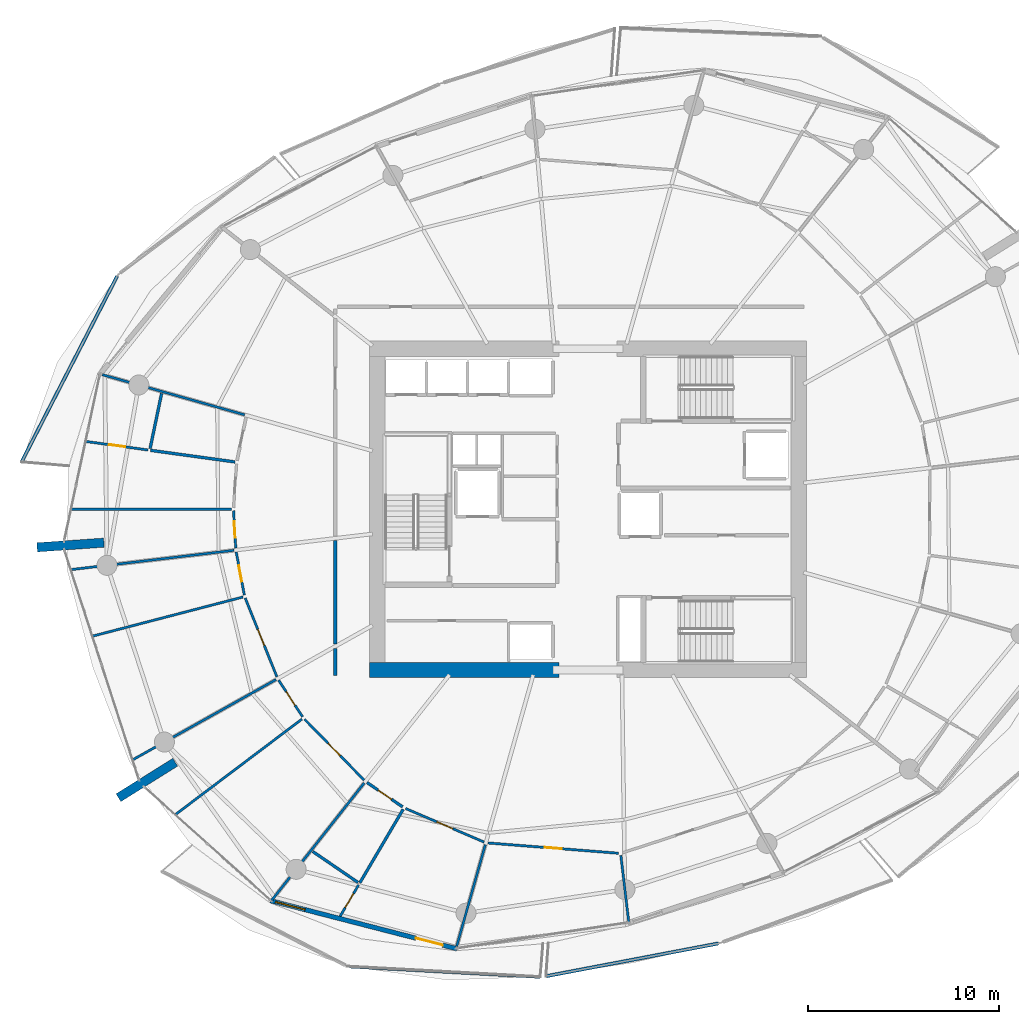
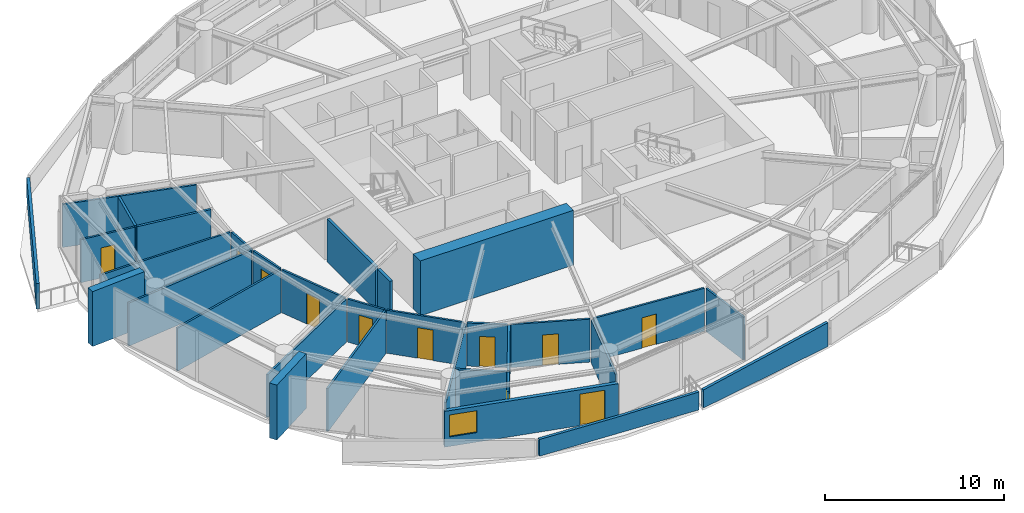
# One storey, part 11 of 20: 32 walls, 11 doors, 1 window, 12 openings.
"""IFC4 building model written with IfcOpenShell, lengths in metres."""

from ifc_helpers import new_model, si_unit, direction, frame, frame_2d, origin, place, context, subcontext, project, spatial, polyline, rectangle, outline, extrude, material, layer, layer_set, type_object, element, fill, save


model = new_model("IFC4")

# Units and contexts
model_context = context("Model", 3, precision=1e-05, world=origin(), true_north=direction((0.0, 1.0)))
body_context = subcontext(model_context, "Body", "Model", "MODEL_VIEW")
ifc_project = project(units=[si_unit("LENGTHUNIT", "METRE"), si_unit("AREAUNIT", "SQUARE_METRE"), si_unit("VOLUMEUNIT", "CUBIC_METRE"), si_unit("PLANEANGLEUNIT", "RADIAN"), si_unit("MASSUNIT", "GRAM", prefix="KILO")], contexts=[model_context])

# Site, building, storey
site_placement = place(None, origin())
site = spatial("IfcSite", under=ifc_project, at=site_placement, CompositionType="ELEMENT")
building_placement = place(site_placement, origin())
building = spatial("IfcBuilding", under=site, at=building_placement, Name="Kazma Halo Residences", CompositionType="ELEMENT")
storey_placement = place(building_placement, frame((0.0, 0.0, 131.550048828125)))
storey = spatial("IfcBuildingStorey", under=building, at=storey_placement, Name="L32", CompositionType="ELEMENT", Elevation=131.550048828125)

# Walls
ifc_material_1 = material(Name="White Concrete C50/60 Balustrade", Category="concrete")
ifc_layer_1 = layer(ifc_material_1, 0.179931640625)
ifc_layer_set_1 = layer_set([ifc_layer_1], Name="White Concrete C50/60 Balustrade")
wall_type_1 = type_object("IfcWallType", Name="WL-BAL-WAVE-180", PredefinedType="PARAPET", material=ifc_layer_set_1)
wall_1_placement = place(storey_placement, frame((23.795654296875, 54.197998046875, 0.0), z_axis=(0.0, 0.0, 1.0), x_axis=(-0.457378798552, -0.88927196888, 0.0)))
element("IfcWall", 1, at=wall_1_placement, inside=storey, type_object=wall_type_1, Name="L32 white wave balustrade wall NW.2", PredefinedType="PARAPET", context=body_context, shape_type="SweptSolid", body=[
    extrude(outline(polyline([(0.0, 0.0), (10.93017578125, 0.0), (10.930419921875, 1.7470703125), (5.465087890625, 1.56201171875), (0.0, 1.347900390625), (0.0, 0.0)])), frame((0.0, 0.08984375, 0.0), z_axis=(0.0, -1.0, 0.0), x_axis=(1.0, 0.0, 0.0)), (0.0, 0.0, 1.0), 0.179931640625),
])
wall_2_placement = place(storey_placement, frame((35.94287109375, 18.0947265625, 0.0), z_axis=(0.0, 0.0, 1.0), x_axis=(0.998521425171, -0.05435957574, 0.0)))
element("IfcWall", 2, at=wall_2_placement, inside=storey, type_object=wall_type_1, Name="L32 white wave balustrade wall SW.2", PredefinedType="PARAPET", context=body_context, shape_type="SweptSolid", body=[
    extrude(outline(polyline([(0.0, 0.0), (9.99755859375, 0.0), (9.99755859375, 1.223876953125), (4.998779296875, 1.126953125), (0.0, 1.14794921875), (0.0, 0.0)])), frame((0.0, 0.08984375, 0.0), z_axis=(0.0, -1.0, 0.0), x_axis=(1.0, 0.0, 0.0)), (0.0, 0.0, 1.0), 0.179931640625),
])
wall_3_placement = place(storey_placement, frame((46.228271484375, 17.582763671875, 0.0), z_axis=(0.0, 0.0, 1.0), x_axis=(0.982405045707, 0.186762753697, 0.0)))
element("IfcWall", 3, at=wall_3_placement, inside=storey, type_object=wall_type_1, Name="L32 white wave balustrade wall SSE.1", PredefinedType="PARAPET", context=body_context, shape_type="SweptSolid", body=[
    extrude(outline(polyline([(0.0, 0.0), (9.1845703125, 0.0), (9.184326171875, 1.6318359375), (4.59228515625, 1.41796875), (0.0, 1.23291015625), (0.0, 0.0)])), frame((0.0, 0.08984375, 0.0), z_axis=(0.0, -1.0, 0.0), x_axis=(1.0, 0.0, 0.0)), (0.0, 0.0, 1.0), 0.179931640625),
])
ifc_material_2 = material(Name="Pale Concrete C60/75", Category="concrete")
ifc_layer_2 = layer(ifc_material_2, 0.47998046875)
ifc_layer_set_2 = layer_set([ifc_layer_2], Name="Pale Concrete C60/75")
wall_type_2 = type_object("IfcWallType", Name="WL-BLADE-480", PredefinedType="SOLIDWALL", material=ifc_layer_set_2)
for number, where, z_axis, x_axis, name in (
    (4, (23.10302734375, 40.259033203125, 0.0), (0.0, 0.0, 1.0), (-0.997564163539, -0.069754853754, 0.0), "L32 pale concrete structural blade fin wall BW-02"),
    (5, (26.834716796875, 28.7744140625, 0.0), (0.0, 0.0, 1.0), (-0.848053161125, -0.529911158502, 0.0), "L32 pale concrete structural blade fin wall BW-03"),
):
    element("IfcWall", number, at=place(storey_placement, frame(where, z_axis=z_axis, x_axis=x_axis)), inside=storey, type_object=wall_type_2, Name=name, PredefinedType="SOLIDWALL", context=body_context, shape_type="SweptSolid", body=[
        extrude(rectangle(XDim=3.5, YDim=0.47998046875, at=frame_2d((1.75, 0.0))), origin(), (0.0, 0.0, 1.0), 3.75),
    ])
ifc_material_3 = material(Name="Concrete C80/95", Category="concrete")
ifc_layer_3 = layer(ifc_material_3, 0.800048828125)
ifc_layer_set_3 = layer_set([ifc_layer_3], Name="Concrete C80/95")
wall_type_3 = type_object("IfcWallType", Name="WL-CORE-800", PredefinedType="SHEAR", material=ifc_layer_set_3)
wall_4_placement = place(storey_placement, frame((37.0, 33.60009765625, 0.0), z_axis=(0.0, 0.0, 1.0), x_axis=(1.0, 0.0, 0.0)))
element("IfcWall", 6, at=wall_4_placement, inside=storey, type_object=wall_type_3, Name="L32 central core shear wall SW", PredefinedType="SHEAR", context=body_context, shape_type="SweptSolid", body=[
    extrude(rectangle(XDim=9.89990234375, YDim=0.800048828125, at=frame_2d((4.949951171875, 0.0))), origin(), (0.0, 0.0, 1.0), 3.75),
])
ifc_material_4 = material(Name="Acoustic Twin-Stud Gypsum")
ifc_layer_4 = layer(ifc_material_4, 0.179931640625)
ifc_layer_set_4 = layer_set([ifc_layer_4], Name="Acoustic Twin-Stud Gypsum")
wall_type_4 = type_object("IfcWallType", Name="WL-DEM-180", PredefinedType="PARTITIONING", material=ifc_layer_set_4)
wall_5_placement = place(storey_placement, frame((35.199951171875, 40.364990234375, 0.0), z_axis=(0.0, 0.0, 1.0), x_axis=(0.0, -1.0, 0.0)))
element("IfcWall", 7, at=wall_5_placement, inside=storey, type_object=wall_type_4, Name="L32 Apartment 1 inner wall 7", PredefinedType="PARTITIONING", context=body_context, shape_type="SweptSolid", body=[
    extrude(rectangle(XDim=5.413330078125, YDim=0.179931640625, at=frame_2d((2.70654296875, 0.0))), origin(), (0.0, 0.0, 1.0), 2.93994140625),
])
wall_6_placement = place(storey_placement, frame((35.199951171875, 34.711669921875, 0.0), z_axis=(0.0, 0.0, 1.0), x_axis=(0.0, -1.0, 0.0)))
element("IfcWall", 8, at=wall_6_placement, inside=storey, type_object=wall_type_4, Name="L32 Apartment 1 inner wall 8", PredefinedType="PARTITIONING", context=body_context, shape_type="SweptSolid", body=[
    extrude(rectangle(XDim=1.3916015625, YDim=0.179931640625, at=frame_2d((0.69580078125, 0.0))), origin(), (0.0, 0.0, 1.0), 2.93994140625),
])

# Wall, openings, door, window
ifc_material_5 = material(Name="Insulated Pale-Metal Composite Wall")
ifc_layer_5 = layer(ifc_material_5, 0.239990234375)
ifc_layer_set_5 = layer_set([ifc_layer_5], Name="Insulated Pale-Metal Composite Wall")
wall_type_5 = type_object("IfcWallType", Name="WL-EXT-HOST-240", PredefinedType="SOLIDWALL", material=ifc_layer_set_5)
wall_7_placement = place(storey_placement, frame((31.807861328125, 21.5341796875, 0.0), z_axis=(0.0, 0.0, 1.0), x_axis=(0.968379685126, -0.249481032214, 0.0)))
wall_7 = element("IfcWall", 9, at=wall_7_placement, inside=storey, type_object=wall_type_5, Name="L32 exterior terrace-access wall B10", PredefinedType="SOLIDWALL", context=body_context, shape_type="SweptSolid", body=[
    extrude(rectangle(XDim=10.08154296875, YDim=0.239990234375, at=frame_2d((5.040771484375, 0.0))), origin(), (0.0, 0.0, 1.0), 2.449951171875),
])
opening_1_placement = place(wall_7_placement, frame((7.861572265625, 0.0, 0.0)))
opening_1 = element("IfcOpeningElement", 10, at=opening_1_placement, cuts=wall_7, Name="Opening DTR-1600", PredefinedType="OPENING", context=body_context, shape_type="SweptSolid", body=[
    extrude(rectangle(XDim=1.449951171875, YDim=2.14990234375, at=frame_2d((0.72509765625, 1.074951171875))), frame((0.0, 0.1298828125, 0.0), z_axis=(0.0, -1.0, 0.0), x_axis=(1.0, 0.0, 0.0)), (0.0, 0.0, 1.0), 0.260009765625),
])
opening_2_placement = place(wall_7_placement, frame((0.280029296875, 0.0, 0.64990234375)))
opening_2 = element("IfcOpeningElement", 11, at=opening_2_placement, cuts=wall_7, Name="Opening W-1800", PredefinedType="OPENING", context=body_context, shape_type="SweptSolid", body=[
    extrude(rectangle(XDim=1.60009765625, YDim=1.5, at=frame_2d((0.800048828125, 0.75))), frame((0.0, 0.1298828125, 0.0), z_axis=(0.0, -1.0, 0.0), x_axis=(1.0, 0.0, 0.0)), (0.0, 0.0, 1.0), 0.260009765625),
])
ifc_material_6 = material(Name="Aluminium AW-6063 T6 Double-Glazed Terrace Door", Category="aluminium")
door_type_1 = type_object("IfcDoorType", Name="DR-EXT-TERR-1600", OperationType="NOTDEFINED", PredefinedType="DOOR", material=ifc_material_6)
door_1_placement = place(opening_1_placement, origin())
door_1 = element("IfcDoor", 12, at=door_1_placement, inside=storey, type_object=door_type_1, Name="L32 B10 balcony terrace door", OperationType="DOUBLE_DOOR_SLIDING", OverallHeight=2.14990234375, OverallWidth=1.449951171875, PredefinedType="DOOR", context=body_context, shape_type="SweptSolid", body=[
    extrude(rectangle(XDim=1.449951171875, YDim=2.14990234375, at=frame_2d((0.72509765625, 1.074951171875))), frame((0.0, 0.02490234375, 0.0), z_axis=(0.0, -1.0, 0.0), x_axis=(1.0, 0.0, 0.0)), (0.0, 0.0, 1.0), 0.050048828125),
])
fill(opening_1, door_1)
ifc_material_7 = material(Name="Clear Triple-Silver Low-E Glass in Aluminium AW-6063 T6 Frame", Category="aluminium")
window_type = type_object("IfcWindowType", Name="WIN-RES-1800", PartitioningType="DOUBLE_PANEL_VERTICAL", PredefinedType="WINDOW", material=ifc_material_7)
window_placement = place(opening_2_placement, origin())
window = element("IfcWindow", 13, at=window_placement, inside=storey, type_object=window_type, Name="L32 B10 apartment window", OverallHeight=1.5, OverallWidth=1.60009765625, PartitioningType="SINGLE_PANEL", PredefinedType="WINDOW", context=body_context, shape_type="SweptSolid", body=[
    extrude(rectangle(XDim=1.60009765625, YDim=1.5, at=frame_2d((0.800048828125, 0.75))), frame((0.0, 0.030029296875, 0.0), z_axis=(0.0, -1.0, 0.0), x_axis=(1.0, 0.0, 0.0)), (0.0, 0.0, 1.0), 0.06005859375),
])
fill(opening_2, window)

# Wall
ifc_material_8 = material(Name="Gypsum Plasterboard Partition")
ifc_layer_6 = layer(ifc_material_8, 0.125)
ifc_layer_set_6 = layer_set([ifc_layer_6], Name="Gypsum Plasterboard Partition")
wall_type_6 = type_object("IfcWallType", Name="WL-PART-125", PredefinedType="PARTITIONING", material=ifc_layer_set_6)
wall_8_placement = place(storey_placement, frame((30.465087890625, 46.9453125, 0.0), z_axis=(0.0, 0.0, 1.0), x_axis=(-0.962456021196, 0.271437667363, 0.0)))
element("IfcWall", 14, at=wall_8_placement, inside=storey, type_object=wall_type_6, Name="L32 Apartment 1 radial partition 6", PredefinedType="PARTITIONING", context=body_context, shape_type="SweptSolid", body=[
    extrude(rectangle(XDim=7.732421875, YDim=0.125, at=frame_2d((3.8662109375, 0.0))), origin(), (0.0, 0.0, 1.0), 2.93994140625),
])

# Wall, opening, door
wall_9_placement = place(storey_placement, frame((25.41357421875, 45.10595703125, 0.0), z_axis=(0.0, 0.0, 1.0), x_axis=(-0.990676070786, 0.136238477576, 0.0)))
wall_9 = element("IfcWall", 15, at=wall_9_placement, inside=storey, type_object=wall_type_6, Name="L32 Apartment 1 Household Store Room partition wall", PredefinedType="PARTITIONING", context=body_context, shape_type="SweptSolid", body=[
    extrude(rectangle(XDim=3.272216796875, YDim=0.125, at=frame_2d((1.63623046875, 0.0))), origin(), (0.0, 0.0, 1.0), 2.93994140625),
])
opening_3_placement = place(wall_9_placement, frame((1.211181640625, 0.0, 0.0)))
opening_3 = element("IfcOpeningElement", 16, at=opening_3_placement, cuts=wall_9, Name="Opening DB-900", PredefinedType="OPENING", context=body_context, shape_type="SweptSolid", body=[
    extrude(rectangle(XDim=0.85009765625, YDim=2.06005859375, at=frame_2d((0.425048828125, 1.030029296875))), frame((0.0, 0.072509765625, 0.0), z_axis=(0.0, -1.0, 0.0), x_axis=(1.0, 0.0, 0.0)), (0.0, 0.0, 1.0), 0.14501953125),
])
ifc_material_9 = material(Name="Moisture-Sealed Timber Leaf", Category="wood")
door_type_2 = type_object("IfcDoorType", Name="DR-BTH-900", OperationType="NOTDEFINED", PredefinedType="DOOR", material=ifc_material_9)
door_2_placement = place(opening_3_placement, origin())
door_2 = element("IfcDoor", 17, at=door_2_placement, inside=storey, type_object=door_type_2, Name="L32 Apartment 1 Household Store Room door", OperationType="SINGLE_SWING_RIGHT", OverallHeight=2.06005859375, OverallWidth=0.85009765625, PredefinedType="DOOR", context=body_context, shape_type="SweptSolid", body=[
    extrude(rectangle(XDim=0.85009765625, YDim=2.06005859375, at=frame_2d((0.425048828125, 1.030029296875))), frame((0.0, 0.02490234375, 0.0), z_axis=(0.0, -1.0, 0.0), x_axis=(1.0, 0.0, 0.0)), (0.0, 0.0, 1.0), 0.050048828125),
])
fill(opening_3, door_2)

# Wall
wall_10_placement = place(storey_placement, frame((29.791015625, 42.009521484375, 0.0), z_axis=(0.0, 0.0, 1.0), x_axis=(-0.999999862447, 0.000524506018, 0.0)))
element("IfcWall", 18, at=wall_10_placement, inside=storey, type_object=wall_type_6, Name="L32 Apartment 1 suite divider 6", PredefinedType="PARTITIONING", context=body_context, shape_type="SweptSolid", body=[
    extrude(rectangle(XDim=8.37841796875, YDim=0.125, at=frame_2d((4.189208984375, 0.0))), origin(), (0.0, 0.0, 1.0), 2.93994140625),
])

# Wall, opening, door
wall_11_placement = place(storey_placement, frame((29.8857421875, 41.929443359375, 0.0), z_axis=(0.0, 0.0, 1.0), x_axis=(0.058590761666, -0.998282085709, 0.0)))
wall_11 = element("IfcWall", 19, at=wall_11_placement, inside=storey, type_object=wall_type_6, Name="L32 Apartment 1 Primary Bedroom hall wall", PredefinedType="PARTITIONING", context=body_context, shape_type="SweptSolid", body=[
    extrude(rectangle(XDim=1.962646484375, YDim=0.125, at=frame_2d((0.9814453125, 0.0))), origin(), (0.0, 0.0, 1.0), 2.93994140625),
])
opening_4_placement = place(wall_11_placement, frame((0.556396484375, 0.0, 0.0)))
opening_4 = element("IfcOpeningElement", 20, at=opening_4_placement, cuts=wall_11, Name="Opening DB-900", PredefinedType="OPENING", context=body_context, shape_type="SweptSolid", body=[
    extrude(rectangle(XDim=0.85009765625, YDim=2.06005859375, at=frame_2d((0.425048828125, 1.030029296875))), frame((0.0, 0.072509765625, 0.0), z_axis=(0.0, -1.0, 0.0), x_axis=(1.0, 0.0, 0.0)), (0.0, 0.0, 1.0), 0.14501953125),
])
door_3_placement = place(opening_4_placement, origin())
door_3 = element("IfcDoor", 21, at=door_3_placement, inside=storey, type_object=door_type_2, Name="L32 Apartment 1 Primary Bedroom door", OperationType="SINGLE_SWING_RIGHT", OverallHeight=2.06005859375, OverallWidth=0.85009765625, PredefinedType="DOOR", context=body_context, shape_type="SweptSolid", body=[
    extrude(rectangle(XDim=0.85009765625, YDim=2.06005859375, at=frame_2d((0.425048828125, 1.030029296875))), frame((0.0, 0.02490234375, 0.0), z_axis=(0.0, -1.0, 0.0), x_axis=(1.0, 0.0, 0.0)), (0.0, 0.0, 1.0), 0.050048828125),
])
fill(opening_4, door_3)

# Walls
wall_12_placement = place(storey_placement, frame((29.9072265625, 39.8583984375, 0.0), z_axis=(0.0, 0.0, 1.0), x_axis=(-0.993070228419, -0.117522429465, 0.0)))
element("IfcWall", 22, at=wall_12_placement, inside=storey, type_object=wall_type_6, Name="L32 Apartment 1 radial partition 7", PredefinedType="PARTITIONING", context=body_context, shape_type="SweptSolid", body=[
    extrude(rectangle(XDim=8.567138671875, YDim=0.125, at=frame_2d((4.28369140625, 0.0))), origin(), (0.0, 0.0, 1.0), 2.93994140625),
])
wall_13_placement = place(storey_placement, frame((30.37744140625, 37.416259765625, 0.0), z_axis=(0.0, 0.0, 1.0), x_axis=(-0.967798305948, -0.251726913549, 0.0)))
element("IfcWall", 23, at=wall_13_placement, inside=storey, type_object=wall_type_6, Name="L32 Apartment 1 mid-bay wall 7", PredefinedType="PARTITIONING", context=body_context, shape_type="SweptSolid", body=[
    extrude(rectangle(XDim=8.109130859375, YDim=0.125, at=frame_2d((4.0546875, 0.0))), origin(), (0.0, 0.0, 1.0), 2.93994140625),
])

# Wall, opening, door
wall_14_placement = place(storey_placement, frame((30.025146484375, 39.77197265625, 0.0), z_axis=(0.0, 0.0, 1.0), x_axis=(0.185072404157, -0.98272488786, 0.0)))
wall_14 = element("IfcWall", 24, at=wall_14_placement, inside=storey, type_object=wall_type_6, Name="L32 Apartment 1 Primary Wine Pantry Store hall wall", PredefinedType="PARTITIONING", context=body_context, shape_type="SweptSolid", body=[
    extrude(rectangle(XDim=2.2939453125, YDim=0.125, at=frame_2d((1.14697265625, 0.0))), origin(), (0.0, 0.0, 1.0), 2.93994140625),
])
opening_5_placement = place(wall_14_placement, frame((0.72216796875, 0.0, 0.0)))
opening_5 = element("IfcOpeningElement", 25, at=opening_5_placement, cuts=wall_14, Name="Opening DB-900", PredefinedType="OPENING", context=body_context, shape_type="SweptSolid", body=[
    extrude(rectangle(XDim=0.85009765625, YDim=2.06005859375, at=frame_2d((0.425048828125, 1.030029296875))), frame((0.0, 0.072509765625, 0.0), z_axis=(0.0, -1.0, 0.0), x_axis=(1.0, 0.0, 0.0)), (0.0, 0.0, 1.0), 0.14501953125),
])
door_4_placement = place(opening_5_placement, origin())
door_4 = element("IfcDoor", 26, at=door_4_placement, inside=storey, type_object=door_type_2, Name="L32 Apartment 1 Primary Wine Pantry Store door", OperationType="SINGLE_SWING_RIGHT", OverallHeight=2.06005859375, OverallWidth=0.85009765625, PredefinedType="DOOR", context=body_context, shape_type="SweptSolid", body=[
    extrude(rectangle(XDim=0.85009765625, YDim=2.06005859375, at=frame_2d((0.425048828125, 1.030029296875))), frame((0.0, 0.02490234375, 0.0), z_axis=(0.0, -1.0, 0.0), x_axis=(1.0, 0.0, 0.0)), (0.0, 0.0, 1.0), 0.050048828125),
])
fill(opening_5, door_4)

wall_15_placement = place(storey_placement, frame((30.494384765625, 37.36474609375, 0.0), z_axis=(0.0, 0.0, 1.0), x_axis=(0.373198093248, -0.927751681861, 0.0)))
wall_15 = element("IfcWall", 27, at=wall_15_placement, inside=storey, type_object=wall_type_6, Name="L32 Apartment 1 Secondary Formal Dining Room hall wall", PredefinedType="PARTITIONING", context=body_context, shape_type="SweptSolid", body=[
    extrude(rectangle(XDim=4.446533203125, YDim=0.125, at=frame_2d((2.22314453125, 0.0))), origin(), (0.0, 0.0, 1.0), 2.93994140625),
])
opening_6_placement = place(wall_15_placement, frame((1.773193359375, 0.0, 0.0)))
opening_6 = element("IfcOpeningElement", 28, at=opening_6_placement, cuts=wall_15, Name="Opening DI-950", PredefinedType="OPENING", context=body_context, shape_type="SweptSolid", body=[
    extrude(rectangle(XDim=0.89990234375, YDim=2.080078125, at=frame_2d((0.449951171875, 1.0400390625))), frame((0.0, 0.072509765625, 0.0), z_axis=(0.0, -1.0, 0.0), x_axis=(1.0, 0.0, 0.0)), (0.0, 0.0, 1.0), 0.14501953125),
])
ifc_material_10 = material(Name="Timber Veneer Flush Leaf", Category="wood")
door_type_3 = type_object("IfcDoorType", Name="DR-INT-950", OperationType="NOTDEFINED", PredefinedType="DOOR", material=ifc_material_10)
door_5_placement = place(opening_6_placement, origin())
door_5 = element("IfcDoor", 29, at=door_5_placement, inside=storey, type_object=door_type_3, Name="L32 Apartment 1 Secondary Formal Dining Room door", OperationType="SINGLE_SWING_LEFT", OverallHeight=2.080078125, OverallWidth=0.89990234375, PredefinedType="DOOR", context=body_context, shape_type="SweptSolid", body=[
    extrude(rectangle(XDim=0.89990234375, YDim=2.080078125, at=frame_2d((0.449951171875, 1.0400390625))), frame((0.0, 0.02490234375, 0.0), z_axis=(0.0, -1.0, 0.0), x_axis=(1.0, 0.0, 0.0)), (0.0, 0.0, 1.0), 0.050048828125),
])
fill(opening_6, door_5)

# Walls
wall_16_placement = place(storey_placement, frame((32.10400390625, 33.097900390625, 0.0), z_axis=(0.0, 0.0, 1.0), x_axis=(-0.872488035617, -0.488635475283, 0.0)))
element("IfcWall", 30, at=wall_16_placement, inside=storey, type_object=wall_type_6, Name="L32 Apartment 1 radial partition 8", PredefinedType="PARTITIONING", context=body_context, shape_type="SweptSolid", body=[
    extrude(rectangle(XDim=8.5673828125, YDim=0.125, at=frame_2d((4.28369140625, 0.0))), origin(), (0.0, 0.0, 1.0), 2.93994140625),
])
wall_17_placement = place(storey_placement, frame((33.46435546875, 31.03271484375, 0.0), z_axis=(0.0, 0.0, 1.0), x_axis=(-0.798260006805, -0.602313009602, 0.0)))
element("IfcWall", 31, at=wall_17_placement, inside=storey, type_object=wall_type_6, Name="L32 Apartment 1 mid-bay wall 8", PredefinedType="PARTITIONING", context=body_context, shape_type="SweptSolid", body=[
    extrude(rectangle(XDim=8.283203125, YDim=0.125, at=frame_2d((4.1416015625, 0.0))), origin(), (0.0, 0.0, 1.0), 2.93994140625),
])

# Wall, opening, door
wall_18_placement = place(storey_placement, frame((32.245849609375, 33.06298828125, 0.0), z_axis=(0.0, 0.0, 1.0), x_axis=(0.54671843355, -0.837316519852, 0.0)))
wall_18 = element("IfcWall", 32, at=wall_18_placement, inside=storey, type_object=wall_type_6, Name="L32 Apartment 1 East Dressing Wardrobe hall wall", PredefinedType="PARTITIONING", context=body_context, shape_type="SweptSolid", body=[
    extrude(rectangle(XDim=2.280029296875, YDim=0.125, at=frame_2d((1.14013671875, 0.0))), origin(), (0.0, 0.0, 1.0), 2.93994140625),
])
opening_7_placement = place(wall_18_placement, frame((0.715087890625, 0.0, 0.0)))
opening_7 = element("IfcOpeningElement", 33, at=opening_7_placement, cuts=wall_18, Name="Opening DB-900", PredefinedType="OPENING", context=body_context, shape_type="SweptSolid", body=[
    extrude(rectangle(XDim=0.85009765625, YDim=2.06005859375, at=frame_2d((0.425048828125, 1.030029296875))), frame((0.0, 0.072509765625, 0.0), z_axis=(0.0, -1.0, 0.0), x_axis=(1.0, 0.0, 0.0)), (0.0, 0.0, 1.0), 0.14501953125),
])
door_6_placement = place(opening_7_placement, origin())
door_6 = element("IfcDoor", 34, at=door_6_placement, inside=storey, type_object=door_type_2, Name="L32 Apartment 1 East Dressing Wardrobe door", OperationType="SINGLE_SWING_LEFT", OverallHeight=2.06005859375, OverallWidth=0.85009765625, PredefinedType="DOOR", context=body_context, shape_type="SweptSolid", body=[
    extrude(rectangle(XDim=0.85009765625, YDim=2.06005859375, at=frame_2d((0.425048828125, 1.030029296875))), frame((0.0, 0.02490234375, 0.0), z_axis=(0.0, -1.0, 0.0), x_axis=(1.0, 0.0, 0.0)), (0.0, 0.0, 1.0), 0.050048828125),
])
fill(opening_7, door_6)

wall_19_placement = place(storey_placement, frame((33.59228515625, 31.02978515625, 0.0), z_axis=(0.0, 0.0, 1.0), x_axis=(0.699540960256, -0.714592502707, 0.0)))
wall_19 = element("IfcWall", 35, at=wall_19_placement, inside=storey, type_object=wall_type_6, Name="L32 Apartment 1 West Master Bedroom hall wall", PredefinedType="PARTITIONING", context=body_context, shape_type="SweptSolid", body=[
    extrude(rectangle(XDim=4.460693359375, YDim=0.125, at=frame_2d((2.23046875, 0.0))), origin(), (0.0, 0.0, 1.0), 2.93994140625),
])
opening_8_placement = place(wall_19_placement, frame((1.7802734375, 0.0, 0.0)))
opening_8 = element("IfcOpeningElement", 36, at=opening_8_placement, cuts=wall_19, Name="Opening DI-950", PredefinedType="OPENING", context=body_context, shape_type="SweptSolid", body=[
    extrude(rectangle(XDim=0.89990234375, YDim=2.080078125, at=frame_2d((0.449951171875, 1.0400390625))), frame((0.0, 0.072509765625, 0.0), z_axis=(0.0, -1.0, 0.0), x_axis=(1.0, 0.0, 0.0)), (0.0, 0.0, 1.0), 0.14501953125),
])
door_7_placement = place(opening_8_placement, origin())
door_7 = element("IfcDoor", 37, at=door_7_placement, inside=storey, type_object=door_type_3, Name="L32 Apartment 1 West Master Bedroom door", OperationType="SINGLE_SWING_RIGHT", OverallHeight=2.080078125, OverallWidth=0.89990234375, PredefinedType="DOOR", context=body_context, shape_type="SweptSolid", body=[
    extrude(rectangle(XDim=0.89990234375, YDim=2.080078125, at=frame_2d((0.449951171875, 1.0400390625))), frame((0.0, 0.02490234375, 0.0), z_axis=(0.0, -1.0, 0.0), x_axis=(1.0, 0.0, 0.0)), (0.0, 0.0, 1.0), 0.050048828125),
])
fill(opening_8, door_7)

# Wall
wall_20_placement = place(storey_placement, frame((36.720703125, 27.6923828125, 0.0), z_axis=(0.0, 0.0, 1.0), x_axis=(-0.619091325953, -0.785318998962, 0.0)))
element("IfcWall", 38, at=wall_20_placement, inside=storey, type_object=wall_type_6, Name="L32 Apartment 1 radial partition 9", PredefinedType="PARTITIONING", context=body_context, shape_type="SweptSolid", body=[
    extrude(rectangle(XDim=7.832763671875, YDim=0.125, at=frame_2d((3.91650390625, 0.0))), origin(), (0.0, 0.0, 1.0), 2.93994140625),
])

# Wall, opening, door
wall_21_placement = place(storey_placement, frame((36.42529296875, 22.35791015625, 0.0), z_axis=(0.0, 0.0, 1.0), x_axis=(-0.507653216709, -0.861561496102, 0.0)))
wall_21 = element("IfcWall", 39, at=wall_21_placement, inside=storey, type_object=wall_type_6, Name="L32 Apartment 1 South Walk-In Wardrobe partition wall", PredefinedType="PARTITIONING", context=body_context, shape_type="SweptSolid", body=[
    extrude(rectangle(XDim=1.904052734375, YDim=0.125, at=frame_2d((0.9521484375, 0.0))), origin(), (0.0, 0.0, 1.0), 2.93994140625),
])
opening_9_placement = place(wall_21_placement, frame((0.52685546875, 0.0, 0.0)))
opening_9 = element("IfcOpeningElement", 40, at=opening_9_placement, cuts=wall_21, Name="Opening DB-900", PredefinedType="OPENING", context=body_context, shape_type="SweptSolid", body=[
    extrude(rectangle(XDim=0.85009765625, YDim=2.06005859375, at=frame_2d((0.425048828125, 1.030029296875))), frame((0.0, 0.072509765625, 0.0), z_axis=(0.0, -1.0, 0.0), x_axis=(1.0, 0.0, 0.0)), (0.0, 0.0, 1.0), 0.14501953125),
])
door_8_placement = place(opening_9_placement, origin())
door_8 = element("IfcDoor", 41, at=door_8_placement, inside=storey, type_object=door_type_2, Name="L32 Apartment 1 South Walk-In Wardrobe door", OperationType="SINGLE_SWING_LEFT", OverallHeight=2.06005859375, OverallWidth=0.85009765625, PredefinedType="DOOR", context=body_context, shape_type="SweptSolid", body=[
    extrude(rectangle(XDim=0.85009765625, YDim=2.06005859375, at=frame_2d((0.425048828125, 1.030029296875))), frame((0.0, 0.02490234375, 0.0), z_axis=(0.0, -1.0, 0.0), x_axis=(1.0, 0.0, 0.0)), (0.0, 0.0, 1.0), 0.050048828125),
])
fill(opening_9, door_8)

wall_22_placement = place(storey_placement, frame((38.884033203125, 26.354248046875, 0.0), z_axis=(0.0, 0.0, 1.0), x_axis=(0.919625189591, -0.392797034955, 0.0)))
wall_22 = element("IfcWall", 42, at=wall_22_placement, inside=storey, type_object=wall_type_6, Name="L32 Apartment 1 Inner Master Bedroom hall wall", PredefinedType="PARTITIONING", context=body_context, shape_type="SweptSolid", body=[
    extrude(rectangle(XDim=4.464599609375, YDim=0.125, at=frame_2d((2.232421875, 0.0))), origin(), (0.0, 0.0, 1.0), 2.93994140625),
])
opening_10_placement = place(wall_22_placement, frame((1.7822265625, 0.0, 0.0)))
opening_10 = element("IfcOpeningElement", 43, at=opening_10_placement, cuts=wall_22, Name="Opening DI-950", PredefinedType="OPENING", context=body_context, shape_type="SweptSolid", body=[
    extrude(rectangle(XDim=0.89990234375, YDim=2.080078125, at=frame_2d((0.449951171875, 1.0400390625))), frame((0.0, 0.072509765625, 0.0), z_axis=(0.0, -1.0, 0.0), x_axis=(1.0, 0.0, 0.0)), (0.0, 0.0, 1.0), 0.14501953125),
])
door_9_placement = place(opening_10_placement, origin())
door_9 = element("IfcDoor", 44, at=door_9_placement, inside=storey, type_object=door_type_3, Name="L32 Apartment 1 Inner Master Bedroom door", OperationType="SINGLE_SWING_RIGHT", OverallHeight=2.080078125, OverallWidth=0.89990234375, PredefinedType="DOOR", context=body_context, shape_type="SweptSolid", body=[
    extrude(rectangle(XDim=0.89990234375, YDim=2.080078125, at=frame_2d((0.449951171875, 1.0400390625))), frame((0.0, 0.02490234375, 0.0), z_axis=(0.0, -1.0, 0.0), x_axis=(1.0, 0.0, 0.0)), (0.0, 0.0, 1.0), 0.050048828125),
])
fill(opening_10, door_9)

# Wall
wall_23_placement = place(storey_placement, frame((43.0546875, 24.465087890625, 0.0), z_axis=(0.0, 0.0, 1.0), x_axis=(-0.271448610669, -0.962452934831, 0.0)))
element("IfcWall", 45, at=wall_23_placement, inside=storey, type_object=wall_type_6, Name="L32 Apartment 1 radial partition 10", PredefinedType="PARTITIONING", context=body_context, shape_type="SweptSolid", body=[
    extrude(rectangle(XDim=5.5205078125, YDim=0.125, at=frame_2d((2.76025390625, 0.0))), origin(), (0.0, 0.0, 1.0), 2.93994140625),
])

# Wall, opening, door
wall_24_placement = place(storey_placement, frame((43.19140625, 24.552734375, 0.0), z_axis=(0.0, 0.0, 1.0), x_axis=(0.996915344956, -0.078484361444, 0.0)))
wall_24 = element("IfcWall", 46, at=wall_24_placement, inside=storey, type_object=wall_type_6, Name="L32 Apartment 1 Outer Master Bedroom gallery wall", PredefinedType="PARTITIONING", context=body_context, shape_type="SweptSolid", body=[
    extrude(rectangle(XDim=6.849853515625, YDim=0.125, at=frame_2d((3.4248046875, 0.0))), origin(), (0.0, 0.0, 1.0), 2.93994140625),
])
opening_11_placement = place(wall_24_placement, frame((2.974853515625, 0.0, 0.0)))
opening_11 = element("IfcOpeningElement", 47, at=opening_11_placement, cuts=wall_24, Name="Opening DI-950", PredefinedType="OPENING", context=body_context, shape_type="SweptSolid", body=[
    extrude(rectangle(XDim=0.89990234375, YDim=2.080078125, at=frame_2d((0.449951171875, 1.0400390625))), frame((0.0, 0.072509765625, 0.0), z_axis=(0.0, -1.0, 0.0), x_axis=(1.0, 0.0, 0.0)), (0.0, 0.0, 1.0), 0.14501953125),
])
door_10_placement = place(opening_11_placement, origin())
door_10 = element("IfcDoor", 48, at=door_10_placement, inside=storey, type_object=door_type_3, Name="L32 Apartment 1 Outer Master Bedroom door", OperationType="SINGLE_SWING_LEFT", OverallHeight=2.080078125, OverallWidth=0.89990234375, PredefinedType="DOOR", context=body_context, shape_type="SweptSolid", body=[
    extrude(rectangle(XDim=0.89990234375, YDim=2.080078125, at=frame_2d((0.449951171875, 1.0400390625))), frame((0.0, 0.02490234375, 0.0), z_axis=(0.0, -1.0, 0.0), x_axis=(1.0, 0.0, 0.0)), (0.0, 0.0, 1.0), 0.050048828125),
])
fill(opening_11, door_10)

# Walls
wall_25_placement = place(storey_placement, frame((50.1416015625, 23.9072265625, 0.0), z_axis=(0.0, 0.0, 1.0), x_axis=(0.11750202185, -0.993072643295, 0.0)))
element("IfcWall", 49, at=wall_25_placement, inside=storey, type_object=wall_type_6, Name="L32 Apartment 1 radial partition 11", PredefinedType="PARTITIONING", context=body_context, shape_type="SweptSolid", body=[
    extrude(rectangle(XDim=3.515625, YDim=0.125, at=frame_2d((1.7578125, 0.0))), origin(), (0.0, 0.0, 1.0), 2.93994140625),
])
ifc_material_11 = material(Name="Moisture-Resistant Gypsum")
ifc_layer_7 = layer(ifc_material_11, 0.14990234375)
ifc_layer_set_7 = layer_set([ifc_layer_7], Name="Moisture-Resistant Gypsum")
wall_type_7 = type_object("IfcWallType", Name="WL-WET-150", PredefinedType="PARTITIONING", material=ifc_layer_set_7)
wall_26_placement = place(storey_placement, frame((26.123291015625, 48.066162109375, 0.0), z_axis=(0.0, 0.0, 1.0), x_axis=(-0.204410847423, -0.978885185022, 0.0)))
element("IfcWall", 50, at=wall_26_placement, inside=storey, type_object=wall_type_7, Name="L32 Apartment 1 Guest Bathroom back wall", PredefinedType="PARTITIONING", context=body_context, shape_type="SweptSolid", body=[
    extrude(rectangle(XDim=2.946533203125, YDim=0.14990234375, at=frame_2d((1.47314453125, 0.0))), origin(), (0.0, 0.0, 1.0), 2.93994140625),
])
wall_27_placement = place(storey_placement, frame((29.960693359375, 44.480712890625, 0.0), z_axis=(0.0, 0.0, 1.0), x_axis=(-0.99067496126, 0.136246545396, 0.0)))
element("IfcWall", 51, at=wall_27_placement, inside=storey, type_object=wall_type_7, Name="L32 Apartment 1 Guest Bathroom side wall", PredefinedType="PARTITIONING", context=body_context, shape_type="SweptSolid", body=[
    extrude(rectangle(XDim=4.4599609375, YDim=0.14990234375, at=frame_2d((2.22998046875, 0.0))), origin(), (0.0, 0.0, 1.0), 2.93994140625),
])

# Wall, opening, door
wall_28_placement = place(storey_placement, frame((36.864990234375, 27.71435546875, 0.0), z_axis=(0.0, 0.0, 1.0), x_axis=(0.825296643152, -0.564699434037, 0.0)))
wall_28 = element("IfcWall", 52, at=wall_28_placement, inside=storey, type_object=wall_type_7, Name="L32 Apartment 1 North En-Suite Bathroom hall wall", PredefinedType="PARTITIONING", context=body_context, shape_type="SweptSolid", body=[
    extrude(rectangle(XDim=2.255859375, YDim=0.14990234375, at=frame_2d((1.1279296875, 0.0))), origin(), (0.0, 0.0, 1.0), 2.93994140625),
])
opening_12_placement = place(wall_28_placement, frame((0.702880859375, 0.0, 0.0)))
opening_12 = element("IfcOpeningElement", 53, at=opening_12_placement, cuts=wall_28, Name="Opening DB-900", PredefinedType="OPENING", context=body_context, shape_type="SweptSolid", body=[
    extrude(rectangle(XDim=0.85009765625, YDim=2.06005859375, at=frame_2d((0.425048828125, 1.030029296875))), frame((0.0, 0.0849609375, 0.0), z_axis=(0.0, -1.0, 0.0), x_axis=(1.0, 0.0, 0.0)), (0.0, 0.0, 1.0), 0.169921875),
])
door_11_placement = place(opening_12_placement, origin())
door_11 = element("IfcDoor", 54, at=door_11_placement, inside=storey, type_object=door_type_2, Name="L32 Apartment 1 North En-Suite Bathroom door", OperationType="SINGLE_SWING_RIGHT", OverallHeight=2.06005859375, OverallWidth=0.85009765625, PredefinedType="DOOR", context=body_context, shape_type="SweptSolid", body=[
    extrude(rectangle(XDim=0.85009765625, YDim=2.06005859375, at=frame_2d((0.425048828125, 1.030029296875))), frame((0.0, 0.02490234375, 0.0), z_axis=(0.0, -1.0, 0.0), x_axis=(1.0, 0.0, 0.0)), (0.0, 0.0, 1.0), 0.050048828125),
])
fill(opening_12, door_11)

# Walls
wall_29_placement = place(storey_placement, frame((34.0234375, 24.109619140625, 0.0), z_axis=(0.0, 0.0, 1.0), x_axis=(0.825328087742, -0.564653475667, 0.0)))
element("IfcWall", 55, at=wall_29_placement, inside=storey, type_object=wall_type_7, Name="L32 Apartment 1 North En-Suite Bathroom back wall", PredefinedType="PARTITIONING", context=body_context, shape_type="SweptSolid", body=[
    extrude(rectangle(XDim=2.875244140625, YDim=0.14990234375, at=frame_2d((1.4375, 0.0))), origin(), (0.0, 0.0, 1.0), 2.93994140625),
])
wall_30_placement = place(storey_placement, frame((38.755615234375, 26.312255859375, 0.0), z_axis=(0.0, 0.0, 1.0), x_axis=(-0.507701739566, -0.8615329034, 0.0)))
element("IfcWall", 56, at=wall_30_placement, inside=storey, type_object=wall_type_7, Name="L32 Apartment 1 North En-Suite Bathroom side wall", PredefinedType="PARTITIONING", context=body_context, shape_type="SweptSolid", body=[
    extrude(rectangle(XDim=4.460205078125, YDim=0.14990234375, at=frame_2d((2.22998046875, 0.0))), origin(), (0.0, 0.0, 1.0), 2.93994140625),
])

save(model, "model.ifc")
